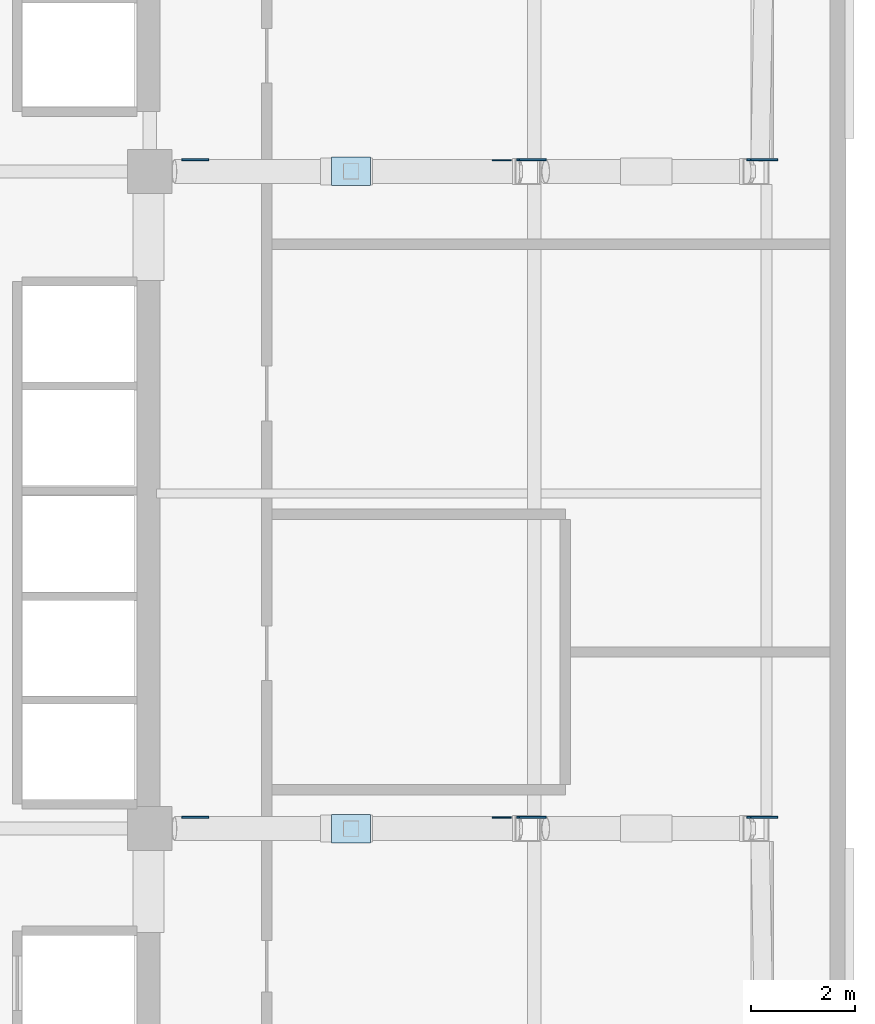
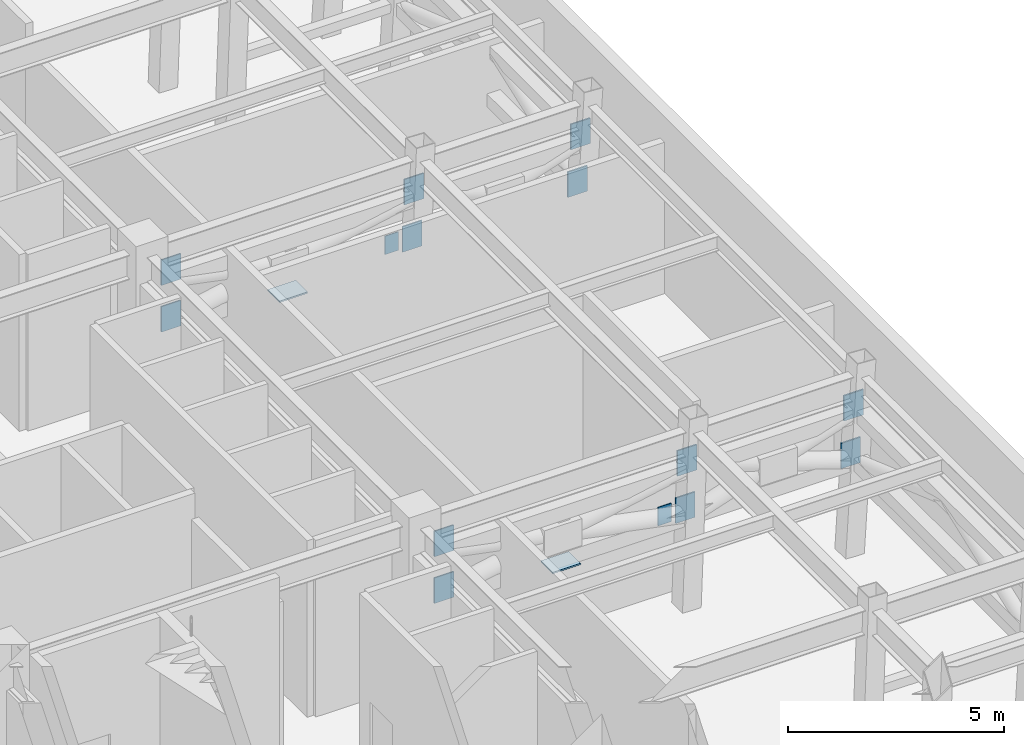
# One storey, part 7 of 14: 16 plates.
"""IFC4 building model written with IfcOpenShell, lengths in metres."""

from ifc_helpers import new_model, si_unit, direction, frame, origin, origin_2d, place, context, subcontext, project, spatial, rectangle, extrude, material, layer, layer_set, type_object, element, save


model = new_model("IFC4")

# Units and contexts
model_context = context("Model", 3, precision=1e-05, world=origin(), true_north=direction((0.0, 1.0)))
body_context = subcontext(model_context, "Body", "Model", "MODEL_VIEW")
ifc_project = project(units=[si_unit("LENGTHUNIT", "METRE"), si_unit("AREAUNIT", "SQUARE_METRE"), si_unit("VOLUMEUNIT", "CUBIC_METRE"), si_unit("PLANEANGLEUNIT", "RADIAN"), si_unit("MASSUNIT", "GRAM", prefix="KILO")], contexts=[model_context])

# Site, building, storey
site_placement = place(None, origin())
site = spatial("IfcSite", under=ifc_project, at=site_placement, CompositionType="ELEMENT")
building_placement = place(site_placement, origin())
building = spatial("IfcBuilding", under=site, at=building_placement, Name="Ochreholt Gables", CompositionType="ELEMENT")
storey_placement = place(building_placement, frame((0.0, 0.0, 71.39990234375)))
storey = spatial("IfcBuildingStorey", under=building, at=storey_placement, Name="L18", CompositionType="ELEMENT", Elevation=71.39990234375)

# Plates
ifc_material = material(Name="Steel CSA G40.21 350W", Category="steel")
ifc_layer_1 = layer(ifc_material, 0.0400390625, Name="Steel CSA G40.21 350W")
ifc_layer_set_1 = layer_set([ifc_layer_1], Name="Steel CSA G40.21 350W")
plate_type_1 = type_object("IfcPlateType", Name="PLT-BASE-40", PredefinedType="USERDEFINED", material=ifc_layer_set_1)
for number, where, z_axis, x_axis, name in (
    (1, (39.0751953125, 17.550048828125, 2.357421875), (0.0, 0.0, 1.0), (1.0, 0.0, 0.0), "L18 Outrigger Node Base Plate S"),
    (2, (39.0751953125, 30.199951171875, 2.357421875), (0.0, 0.0, 1.0), (1.0, 0.0, 0.0), "L18 Outrigger Node Base Plate N"),
):
    element("IfcPlate", number, at=place(storey_placement, frame(where, z_axis=z_axis, x_axis=x_axis)), inside=storey, type_object=plate_type_1, Name=name, ObjectType="BASE PLATE", PredefinedType="USERDEFINED", context=body_context, shape_type="SweptSolid", body=[
        extrude(rectangle(XDim=0.75, YDim=0.550048828125, at=origin_2d()), origin(), (0.0, 0.0, 1.0), 0.0400390625),
    ])
ifc_layer_2 = layer(ifc_material, 0.0380859375, Name="Steel CSA G40.21 350W")
ifc_layer_set_2 = layer_set([ifc_layer_2], Name="Steel CSA G40.21 350W")
plate_type_2 = type_object("IfcPlateType", Name="PLT-GUSSET-38", PredefinedType="USERDEFINED", material=ifc_layer_set_2)
for number, where, z_axis, x_axis, name in (
    (3, (42.52587890625, 17.771484375, 2.240234375), (0.0, 0.0, 1.0), (1.0, 0.0, 0.0), "L18 Outrigger End Gusset Plate SM1"),
    (4, (42.572265625, 17.771484375, 3.56005859375), (0.0, 0.0, 1.0), (1.0, 0.0, 0.0), "L18 Outrigger End Gusset Plate SM2"),
    (5, (46.94873046875, 17.771484375, 2.240234375), (0.0, 0.0, 1.0), (1.0, 0.0, 0.0), "L18 Outrigger End Gusset Plate SE1"),
    (6, (47.025390625, 17.771484375, 3.56005859375), (0.0, 0.0, 1.0), (1.0, 0.0, 0.0), "L18 Outrigger End Gusset Plate SE2"),
    (7, (36.07470703125, 17.771484375, 2.240234375), (0.0, 0.0, 1.0), (1.0, 0.0, 0.0), "L18 Outrigger Gusset Plate S1"),
    (8, (36.07470703125, 17.771484375, 3.56005859375), (0.0, 0.0, 1.0), (1.0, 0.0, 0.0), "L18 Outrigger Gusset Plate S2"),
    (9, (42.52587890625, 30.421630859375, 2.240234375), (0.0, 0.0, 1.0), (1.0, 0.0, 0.0), "L18 Outrigger End Gusset Plate NM1"),
    (10, (42.572265625, 30.421630859375, 3.56005859375), (0.0, 0.0, 1.0), (1.0, 0.0, 0.0), "L18 Outrigger End Gusset Plate NM2"),
    (11, (46.94873046875, 30.421630859375, 2.240234375), (0.0, 0.0, 1.0), (1.0, 0.0, 0.0), "L18 Outrigger End Gusset Plate NE1"),
    (12, (47.025390625, 30.421630859375, 3.56005859375), (0.0, 0.0, 1.0), (1.0, 0.0, 0.0), "L18 Outrigger End Gusset Plate NE2"),
    (13, (36.07470703125, 30.421630859375, 2.240234375), (0.0, 0.0, 1.0), (1.0, 0.0, 0.0), "L18 Outrigger Gusset Plate N1"),
    (14, (36.07470703125, 30.421630859375, 3.56005859375), (0.0, 0.0, 1.0), (1.0, 0.0, 0.0), "L18 Outrigger Gusset Plate N2"),
):
    element("IfcPlate", number, at=place(storey_placement, frame(where, z_axis=z_axis, x_axis=x_axis)), inside=storey, type_object=plate_type_2, Name=name, ObjectType="GUSSET PLATE", PredefinedType="USERDEFINED", context=body_context, shape_type="SweptSolid", body=[
        extrude(rectangle(XDim=0.52001953125, YDim=0.0380859375, at=origin_2d()), origin(), (0.0, 0.0, 1.0), 0.719970703125),
    ])
ifc_layer_3 = layer(ifc_material, 0.02392578125, Name="Steel CSA G40.21 350W")
ifc_layer_set_3 = layer_set([ifc_layer_3], Name="Steel CSA G40.21 350W")
plate_type_3 = type_object("IfcPlateType", Name="PLT-STIFF-24", PredefinedType="SHEET", material=ifc_layer_set_3)
for number, where, z_axis, x_axis, name in (
    (15, (41.97607421875, 17.7646484375, 2.340087890625), (0.0, 0.0, 1.0), (1.0, 0.0, 0.0), "L18 Outrigger Web Stiffener S"),
    (16, (41.97607421875, 30.41455078125, 2.340087890625), (0.0, 0.0, 1.0), (1.0, 0.0, 0.0), "L18 Outrigger Web Stiffener N"),
):
    element("IfcPlate", number, at=place(storey_placement, frame(where, z_axis=z_axis, x_axis=x_axis)), inside=storey, type_object=plate_type_3, Name=name, PredefinedType="SHEET", context=body_context, shape_type="SweptSolid", body=[
        extrude(rectangle(XDim=0.360107421875, YDim=0.02392578125, at=origin_2d()), origin(), (0.0, 0.0, 1.0), 0.52001953125),
    ])

save(model, "model.ifc")
